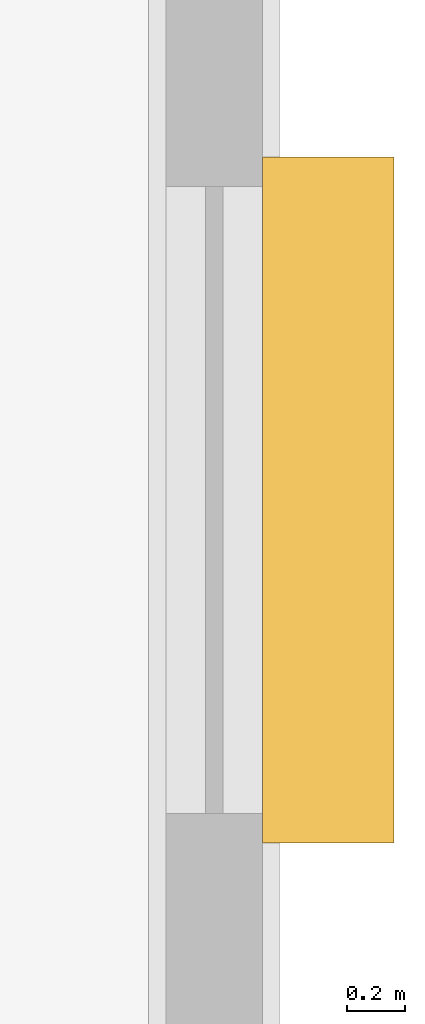
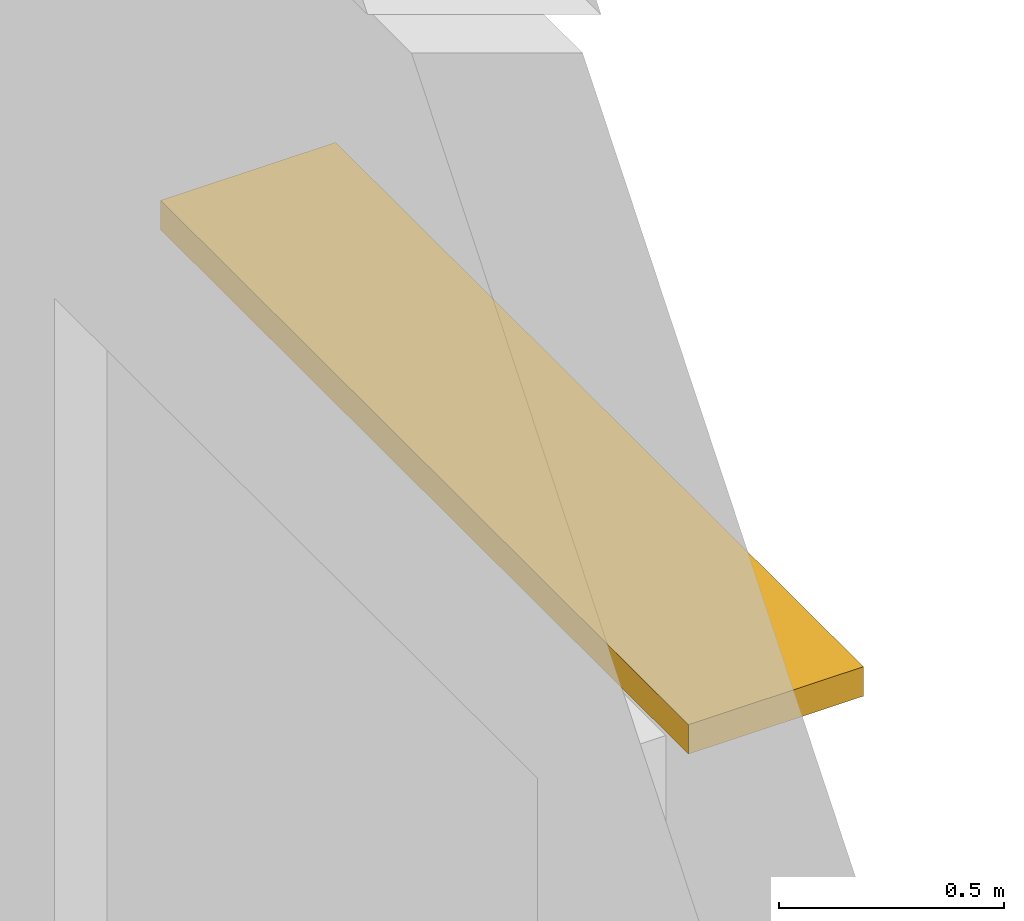
# One storey, part 89 of 89: 1 shading device.
"""IFC4 building model written with IfcOpenShell, lengths in metres."""

from ifc_helpers import new_model, si_unit, direction, frame, origin, origin_2d, place, context, subcontext, project, spatial, rectangle, extrude, material, layer, layer_set, type_object, element, save


model = new_model("IFC4")

# Units and contexts
model_context = context("Model", 3, precision=1e-05, world=origin(), true_north=direction((0.0, 1.0)))
body_context = subcontext(model_context, "Body", "Model", "MODEL_VIEW")
ifc_project = project(units=[si_unit("LENGTHUNIT", "METRE"), si_unit("AREAUNIT", "SQUARE_METRE"), si_unit("VOLUMEUNIT", "CUBIC_METRE"), si_unit("PLANEANGLEUNIT", "RADIAN"), si_unit("MASSUNIT", "GRAM", prefix="KILO")], contexts=[model_context])

# Site, building, storey
site_placement = place(None, origin())
site = spatial("IfcSite", under=ifc_project, at=site_placement, CompositionType="ELEMENT")
building_placement = place(site_placement, origin())
building = spatial("IfcBuilding", under=site, at=building_placement, Name="Varncliffe General Hospital", CompositionType="ELEMENT")
storey_placement = place(building_placement, frame((0.0, 0.0, 10.800048828125)))
storey = spatial("IfcBuildingStorey", under=building, at=storey_placement, Name="L02", CompositionType="ELEMENT", Elevation=10.800048828125)

# Shading device
ifc_material = material(Name="Dark bronze extruded aluminium solar jalousie louvres", Category="aluminium")
ifc_layer = layer(ifc_material, 0.080078125)
ifc_layer_set = layer_set([ifc_layer], Name="Dark bronze extruded aluminium solar jalousie louvres")
shading_device_type = type_object("IfcShadingDeviceType", Name="Bronze Solar Jalousie Louvre Hood SHD18", PredefinedType="JALOUSIE", material=ifc_layer_set)
shading_device_placement = place(storey_placement, frame((176.7900390625, 120.60009765625, 3.059814453125), z_axis=(0.0, 0.0, 1.0), x_axis=(0.0, -1.0, 0.0)))
element("IfcShadingDevice", 1, at=shading_device_placement, inside=storey, type_object=shading_device_type, Name="L02 Bronze Window Sun-Shading Louvre 49", PredefinedType="JALOUSIE", context=body_context, shape_type="SweptSolid", body=[
    extrude(rectangle(XDim=2.35009765625, YDim=0.449951171875, at=origin_2d()), origin(), (0.0, 0.0, 1.0), 0.080078125),
])

save(model, "model.ifc")
